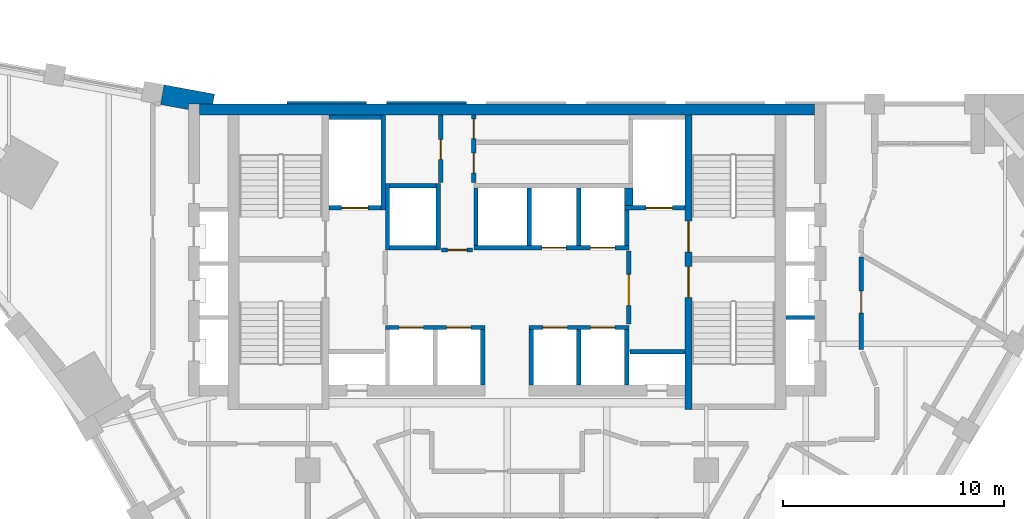
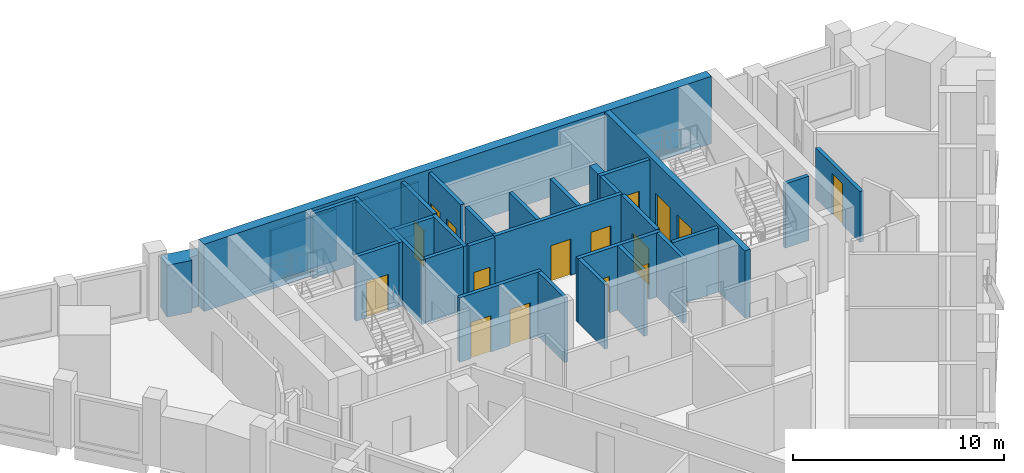
# One storey, part 6 of 9: 32 walls, 16 doors, 16 openings.
"""IFC4 building model written with IfcOpenShell, lengths in metres."""

from ifc_helpers import new_model, si_unit, direction, frame, frame_2d, origin, place, context, subcontext, project, spatial, polyline, rectangle, outline, extrude, material, layer, layer_set, type_object, element, fill, save


model = new_model("IFC4")

# Units and contexts
model_context = context("Model", 3, precision=1e-05, world=origin(), true_north=direction((0.0, 1.0)))
body_context = subcontext(model_context, "Body", "Model", "MODEL_VIEW")
ifc_project = project(units=[si_unit("LENGTHUNIT", "METRE"), si_unit("AREAUNIT", "SQUARE_METRE"), si_unit("VOLUMEUNIT", "CUBIC_METRE"), si_unit("PLANEANGLEUNIT", "RADIAN"), si_unit("MASSUNIT", "GRAM", prefix="KILO")], contexts=[model_context])

# Site, building, storey
site_placement = place(None, origin())
site = spatial("IfcSite", under=ifc_project, at=site_placement, CompositionType="ELEMENT")
building_placement = place(site_placement, origin())
building = spatial("IfcBuilding", under=site, at=building_placement, Name="Calabash Gate Tower", CompositionType="ELEMENT")
storey_placement = place(building_placement, frame((0.0, 0.0, 212.0)))
storey = spatial("IfcBuildingStorey", under=building, at=storey_placement, Name="L50", CompositionType="ELEMENT", Elevation=212.0)

# Wall
ifc_material_1 = material(Name="Terracotta brick masonry, exposed face", Category="masonry")
ifc_layer_1 = layer(ifc_material_1, 0.89990234375)
ifc_layer_set_1 = layer_set([ifc_layer_1], Name="Brick end wall 900")
wall_type_1 = type_object("IfcWallType", Name="Brick end wall 900", PredefinedType="SOLIDWALL", material=ifc_layer_set_1)
wall_1_placement = place(storey_placement, origin())
element("IfcWall", 1, at=wall_1_placement, inside=storey, type_object=wall_type_1, Name="Brick end wall S14 1", PredefinedType="SOLIDWALL", context=body_context, shape_type="SweptSolid", body=[
    extrude(outline(polyline([(-15.651611328125, 19.02734375), (-15.65185546875, 19.027099609375), (-14.39990234375, 18.798095703125), (-14.39990234375, 19.052490234375), (-13.291015625, 19.052490234375), (-13.2099609375, 19.4951171875), (-15.489501953125, 19.912353515625), (-15.6513671875, 19.02734375), (-15.651611328125, 19.02734375)])), origin(), (0.0, 0.0, 1.0), 3.0),
])

# Wall, openings, doors
ifc_material_2 = material(Name="Concrete C70/85", Category="concrete")
ifc_layer_2 = layer(ifc_material_2, 0.300048828125)
ifc_layer_set_2 = layer_set([ifc_layer_2], Name="Core wall 300 Concrete C70/85")
wall_type_2 = type_object("IfcWallType", Name="Core wall 300 Concrete C70/85", PredefinedType="SHEAR", material=ifc_layer_set_2)
wall_2_placement = place(storey_placement, frame((8.199951171875, 5.252685546875, 0.0), z_axis=(0.0, 0.0, 1.0), x_axis=(0.0, 1.0, 0.0)))
wall_2 = element("IfcWall", 2, at=wall_2_placement, inside=storey, type_object=wall_type_2, Name="Core wall Z4-PARTE L50", PredefinedType="SHEAR", context=body_context, shape_type="SweptSolid", body=[
    extrude(rectangle(XDim=13.2998046875, YDim=0.300048828125, at=frame_2d((6.64990234375, 0.0))), origin(), (0.0, 0.0, 1.0), 3.89990234375),
])
opening_1_placement = place(wall_2_placement, frame((7.10009765625, 0.0, 0.0)))
opening_1 = element("IfcOpeningElement", 3, at=opening_1_placement, cuts=wall_2, Name="Opening O6-019", PredefinedType="OPENING", context=body_context, shape_type="SweptSolid", body=[
    extrude(rectangle(XDim=1.39990234375, YDim=2.10009765625, at=frame_2d((0.699951171875, 1.050048828125))), frame((0.0, 0.159912109375, 0.0), z_axis=(0.0, -1.0, 0.0), x_axis=(1.0, 0.0, 0.0)), (0.0, 0.0, 1.0), 0.320068359375),
])
opening_2_placement = place(wall_2_placement, frame((5.050048828125, 0.0, 0.0)))
opening_2 = element("IfcOpeningElement", 4, at=opening_2_placement, cuts=wall_2, Name="Opening O6-020", PredefinedType="OPENING", context=body_context, shape_type="SweptSolid", body=[
    extrude(rectangle(XDim=1.39990234375, YDim=2.10009765625, at=frame_2d((0.699951171875, 1.050048828125))), frame((0.0, 0.159912109375, 0.0), z_axis=(0.0, -1.0, 0.0), x_axis=(1.0, 0.0, 0.0)), (0.0, 0.0, 1.0), 0.320068359375),
])
ifc_material_3 = material(Name="Steel fire door set with fire-resisting glazing", Category="steel")
door_type_1 = type_object("IfcDoorType", Name="Fire door D05 1400x2100 FD90", OperationType="NOTDEFINED", PredefinedType="DOOR", material=ifc_material_3)
door_1_placement = place(opening_1_placement, origin())
door_1 = element("IfcDoor", 5, at=door_1_placement, inside=storey, type_object=door_type_1, Name="Exit stair door ST3", OperationType="SINGLE_SWING_RIGHT", OverallHeight=2.10009765625, OverallWidth=1.39990234375, PredefinedType="DOOR", context=body_context, shape_type="SweptSolid", body=[
    extrude(rectangle(XDim=1.39990234375, YDim=2.10009765625, at=frame_2d((0.699951171875, 1.050048828125))), frame((0.0, 0.02490234375, 0.0), z_axis=(0.0, -1.0, 0.0), x_axis=(1.0, 0.0, 0.0)), (0.0, 0.0, 1.0), 0.050048828125),
])
fill(opening_1, door_1)
door_2_placement = place(opening_2_placement, origin())
door_2 = element("IfcDoor", 6, at=door_2_placement, inside=storey, type_object=door_type_1, Name="Exit stair door ST4", OperationType="SINGLE_SWING_LEFT", OverallHeight=2.10009765625, OverallWidth=1.39990234375, PredefinedType="DOOR", context=body_context, shape_type="SweptSolid", body=[
    extrude(rectangle(XDim=1.39990234375, YDim=2.10009765625, at=frame_2d((0.699951171875, 1.050048828125))), frame((0.0, 0.02490234375, 0.0), z_axis=(0.0, -1.0, 0.0), x_axis=(1.0, 0.0, 0.0)), (0.0, 0.0, 1.0), 0.050048828125),
])
fill(opening_2, door_2)

# Wall
ifc_material_4 = material(Name="Concrete C70/85", Category="concrete")
ifc_layer_3 = layer(ifc_material_4, 0.5)
ifc_layer_set_3 = layer_set([ifc_layer_3], Name="Core wall 500 Concrete C70/85")
wall_type_3 = type_object("IfcWallType", Name="Core wall 500 Concrete C70/85", PredefinedType="SHEAR", material=ifc_layer_set_3)
wall_3_placement = place(storey_placement, frame((-13.89990234375, 18.802490234375, 0.0), z_axis=(0.0, 0.0, 1.0), x_axis=(1.0, 0.0, 0.0)))
element("IfcWall", 7, at=wall_3_placement, inside=storey, type_object=wall_type_3, Name="Core wall Z4-N L50", PredefinedType="SHEAR", context=body_context, shape_type="SweptSolid", body=[
    extrude(rectangle(XDim=27.7998046875, YDim=0.5, at=frame_2d((13.89990234375, 0.0))), origin(), (0.0, 0.0, 1.0), 3.89990234375),
])

# Wall, opening, door
ifc_material_5 = material(Name="Gypsum board on steel studs, mineral wool", Category="steel")
ifc_layer_4 = layer(ifc_material_5, 0.199951171875)
ifc_layer_set_4 = layer_set([ifc_layer_4], Name="Partition 200 gypsum board EI 60")
wall_type_4 = type_object("IfcWallType", Name="Partition 200 gypsum board EI 60", PredefinedType="PARTITIONING", material=ifc_layer_set_4)
wall_4_placement = place(storey_placement, frame((16.00048828125, 7.95263671875, 0.0), z_axis=(0.0, 0.0, 1.0), x_axis=(0.000349507755, 0.999999938922, 0.0)))
wall_4 = element("IfcWall", 8, at=wall_4_placement, inside=storey, type_object=wall_type_4, Name="Partition", PredefinedType="PARTITIONING", context=body_context, shape_type="SweptSolid", body=[
    extrude(rectangle(XDim=4.191162109375, YDim=0.199951171875, at=frame_2d((2.095703125, 0.0))), origin(), (0.0, 0.0, 1.0), 2.9501953125),
])
opening_3_placement = place(wall_4_placement, frame((1.64599609375, 0.0, 0.0)))
opening_3 = element("IfcOpeningElement", 9, at=opening_3_placement, cuts=wall_4, Name="Opening 49-51-014", PredefinedType="OPENING", context=body_context, shape_type="SweptSolid", body=[
    extrude(rectangle(XDim=1.0, YDim=2.39990234375, at=frame_2d((0.5, 1.199951171875))), frame((0.0, 0.10986328125, 0.0), z_axis=(0.0, -1.0, 0.0), x_axis=(1.0, 0.0, 0.0)), (0.0, 0.0, 1.0), 0.219970703125),
])
ifc_material_6 = material(Name="Painted timber door", Category="wood")
door_type_2 = type_object("IfcDoorType", Name="OD2 Glazed office door 1000x2400", OperationType="NOTDEFINED", PredefinedType="DOOR", material=ifc_material_6)
door_3_placement = place(opening_3_placement, origin())
door_3 = element("IfcDoor", 10, at=door_3_placement, inside=storey, type_object=door_type_2, Name="Glazed office door", OperationType="SINGLE_SWING_LEFT", OverallHeight=2.39990234375, OverallWidth=1.0, PredefinedType="DOOR", context=body_context, shape_type="SweptSolid", body=[
    extrude(rectangle(XDim=1.0, YDim=2.39990234375, at=frame_2d((0.5, 1.199951171875))), frame((0.0, 0.02490234375, 0.0), z_axis=(0.0, -1.0, 0.0), x_axis=(1.0, 0.0, 0.0)), (0.0, 0.0, 1.0), 0.050048828125),
])
fill(opening_3, door_3)

# Walls
ifc_material_7 = material(Name="Concrete C40/50", Category="concrete")
ifc_layer_5 = layer(ifc_material_7, 0.199951171875)
ifc_layer_set_5 = layer_set([ifc_layer_5], Name="Shaft wall 200 Concrete C40/50")
wall_type_5 = type_object("IfcWallType", Name="Shaft wall 200 Concrete C40/50", PredefinedType="SOLIDWALL", material=ifc_layer_set_5)
for number, where, z_axis, x_axis, name in (
    (11, (-1.10009765625, 6.3525390625, 0.0), (0.0, 0.0, 1.0), (0.0, 1.0, 0.0), "Shaft wall"),
    (12, (1.10009765625, 6.3525390625, 0.0), (0.0, 0.0, 1.0), (0.0, 1.0, 0.0), "Shaft wall"),
    (13, (3.25, 6.3525390625, 0.0), (0.0, 0.0, 1.0), (0.0, 1.0, 0.0), "Shaft wall"),
    (14, (5.39990234375, 6.3525390625, 0.0), (0.0, 0.0, 1.0), (0.0, 1.0, 0.0), "Shaft wall"),
    (15, (5.550048828125, 7.8525390625, 0.0), (0.0, 0.0, 1.0), (1.0, 0.0, 0.0), "Shaft wall"),
):
    element("IfcWall", number, at=place(storey_placement, frame(where, z_axis=z_axis, x_axis=x_axis)), inside=storey, type_object=wall_type_5, Name=name, PredefinedType="SOLIDWALL", context=body_context, shape_type="SweptSolid", body=[
        extrude(rectangle(XDim=2.5, YDim=0.199951171875, at=frame_2d((1.25, 0.0))), origin(), (0.0, 0.0, 1.0), 3.72998046875),
    ])

# Wall, openings, doors
wall_5_placement = place(storey_placement, frame((-5.5, 8.95263671875, 0.0), z_axis=(0.0, 0.0, 1.0), x_axis=(1.0, 0.0, 0.0)))
wall_5 = element("IfcWall", 16, at=wall_5_placement, inside=storey, type_object=wall_type_5, Name="Shaft wall", PredefinedType="SOLIDWALL", context=body_context, shape_type="SweptSolid", body=[
    extrude(rectangle(XDim=4.5, YDim=0.199951171875, at=frame_2d((2.25, 0.0))), origin(), (0.0, 0.0, 1.0), 3.72998046875),
])
opening_4_placement = place(wall_5_placement, frame((0.625, 0.0, 0.0)))
opening_4 = element("IfcOpeningElement", 17, at=opening_4_placement, cuts=wall_5, Name="Opening LD-HR1", PredefinedType="OPENING", context=body_context, shape_type="SweptSolid", body=[
    extrude(rectangle(XDim=1.10009765625, YDim=2.10009765625, at=frame_2d((0.550048828125, 1.050048828125))), frame((0.0, 0.10986328125, 0.0), z_axis=(0.0, -1.0, 0.0), x_axis=(1.0, 0.0, 0.0)), (0.0, 0.0, 1.0), 0.219970703125),
])
opening_5_placement = place(wall_5_placement, frame((2.77490234375, 0.0, 0.0)))
opening_5 = element("IfcOpeningElement", 18, at=opening_5_placement, cuts=wall_5, Name="Opening LD-HR2", PredefinedType="OPENING", context=body_context, shape_type="SweptSolid", body=[
    extrude(rectangle(XDim=1.10009765625, YDim=2.10009765625, at=frame_2d((0.550048828125, 1.050048828125))), frame((0.0, 0.10986328125, 0.0), z_axis=(0.0, -1.0, 0.0), x_axis=(1.0, 0.0, 0.0)), (0.0, 0.0, 1.0), 0.219970703125),
])
ifc_material_8 = material(Name="Stainless steel sliding door leaves", Category="steel")
door_type_3 = type_object("IfcDoorType", Name="Lift landing door LS1 1100x2100 FD90", OperationType="DOUBLE_DOOR_SLIDING", PredefinedType="DOOR", material=ifc_material_8)
door_4_placement = place(opening_4_placement, origin())
door_4 = element("IfcDoor", 19, at=door_4_placement, inside=storey, type_object=door_type_3, Name="Lift landing door HR1", OperationType="DOUBLE_DOOR_SLIDING", OverallHeight=2.10009765625, OverallWidth=1.10009765625, PredefinedType="DOOR", context=body_context, shape_type="SweptSolid", body=[
    extrude(rectangle(XDim=1.10009765625, YDim=2.10009765625, at=frame_2d((0.550048828125, 1.050048828125))), frame((0.0, 0.02490234375, 0.0), z_axis=(0.0, -1.0, 0.0), x_axis=(1.0, 0.0, 0.0)), (0.0, 0.0, 1.0), 0.050048828125),
])
fill(opening_4, door_4)
door_5_placement = place(opening_5_placement, origin())
door_5 = element("IfcDoor", 20, at=door_5_placement, inside=storey, type_object=door_type_3, Name="Lift landing door HR2", OperationType="DOUBLE_DOOR_SLIDING", OverallHeight=2.10009765625, OverallWidth=1.10009765625, PredefinedType="DOOR", context=body_context, shape_type="SweptSolid", body=[
    extrude(rectangle(XDim=1.10009765625, YDim=2.10009765625, at=frame_2d((0.550048828125, 1.050048828125))), frame((0.0, 0.02490234375, 0.0), z_axis=(0.0, -1.0, 0.0), x_axis=(1.0, 0.0, 0.0)), (0.0, 0.0, 1.0), 0.050048828125),
])
fill(opening_5, door_5)

wall_6_placement = place(storey_placement, frame((1.0, 8.95263671875, 0.0), z_axis=(0.0, 0.0, 1.0), x_axis=(1.0, 0.0, 0.0)))
wall_6 = element("IfcWall", 21, at=wall_6_placement, inside=storey, type_object=wall_type_5, Name="Shaft wall", PredefinedType="SOLIDWALL", context=body_context, shape_type="SweptSolid", body=[
    extrude(rectangle(XDim=4.5, YDim=0.199951171875, at=frame_2d((2.25, 0.0))), origin(), (0.0, 0.0, 1.0), 3.72998046875),
])
opening_6_placement = place(wall_6_placement, frame((0.625, 0.0, 0.0)))
opening_6 = element("IfcOpeningElement", 22, at=opening_6_placement, cuts=wall_6, Name="Opening LD-HR3", PredefinedType="OPENING", context=body_context, shape_type="SweptSolid", body=[
    extrude(rectangle(XDim=1.10009765625, YDim=2.10009765625, at=frame_2d((0.550048828125, 1.050048828125))), frame((0.0, 0.10986328125, 0.0), z_axis=(0.0, -1.0, 0.0), x_axis=(1.0, 0.0, 0.0)), (0.0, 0.0, 1.0), 0.219970703125),
])
opening_7_placement = place(wall_6_placement, frame((2.77490234375, 0.0, 0.0)))
opening_7 = element("IfcOpeningElement", 23, at=opening_7_placement, cuts=wall_6, Name="Opening LD-HR4", PredefinedType="OPENING", context=body_context, shape_type="SweptSolid", body=[
    extrude(rectangle(XDim=1.10009765625, YDim=2.10009765625, at=frame_2d((0.550048828125, 1.050048828125))), frame((0.0, 0.10986328125, 0.0), z_axis=(0.0, -1.0, 0.0), x_axis=(1.0, 0.0, 0.0)), (0.0, 0.0, 1.0), 0.219970703125),
])
door_6_placement = place(opening_6_placement, origin())
door_6 = element("IfcDoor", 24, at=door_6_placement, inside=storey, type_object=door_type_3, Name="Lift landing door HR3", OperationType="DOUBLE_DOOR_SLIDING", OverallHeight=2.10009765625, OverallWidth=1.10009765625, PredefinedType="DOOR", context=body_context, shape_type="SweptSolid", body=[
    extrude(rectangle(XDim=1.10009765625, YDim=2.10009765625, at=frame_2d((0.550048828125, 1.050048828125))), frame((0.0, 0.02490234375, 0.0), z_axis=(0.0, -1.0, 0.0), x_axis=(1.0, 0.0, 0.0)), (0.0, 0.0, 1.0), 0.050048828125),
])
fill(opening_6, door_6)
door_7_placement = place(opening_7_placement, origin())
door_7 = element("IfcDoor", 25, at=door_7_placement, inside=storey, type_object=door_type_3, Name="Lift landing door HR4", OperationType="DOUBLE_DOOR_SLIDING", OverallHeight=2.10009765625, OverallWidth=1.10009765625, PredefinedType="DOOR", context=body_context, shape_type="SweptSolid", body=[
    extrude(rectangle(XDim=1.10009765625, YDim=2.10009765625, at=frame_2d((0.550048828125, 1.050048828125))), frame((0.0, 0.02490234375, 0.0), z_axis=(0.0, -1.0, 0.0), x_axis=(1.0, 0.0, 0.0)), (0.0, 0.0, 1.0), 0.050048828125),
])
fill(opening_7, door_7)

# Wall, opening, door
wall_7_placement = place(storey_placement, frame((5.5, 9.1025390625, 0.0), z_axis=(0.0, 0.0, 1.0), x_axis=(0.0, 1.0, 0.0)))
wall_7 = element("IfcWall", 26, at=wall_7_placement, inside=storey, type_object=wall_type_5, Name="Shaft wall", PredefinedType="SOLIDWALL", context=body_context, shape_type="SweptSolid", body=[
    extrude(rectangle(XDim=3.300048828125, YDim=0.199951171875, at=frame_2d((1.64990234375, 0.0))), origin(), (0.0, 0.0, 1.0), 3.72998046875),
])
opening_8_placement = place(wall_7_placement, frame((0.85009765625, 0.0, 0.0)))
opening_8 = element("IfcOpeningElement", 27, at=opening_8_placement, cuts=wall_7, Name="Opening O6-010", PredefinedType="OPENING", context=body_context, shape_type="SweptSolid", body=[
    extrude(rectangle(XDim=1.39990234375, YDim=2.10009765625, at=frame_2d((0.699951171875, 1.050048828125))), frame((0.0, 0.10986328125, 0.0), z_axis=(0.0, -1.0, 0.0), x_axis=(1.0, 0.0, 0.0)), (0.0, 0.0, 1.0), 0.219970703125),
])
door_8_placement = place(opening_8_placement, origin())
door_8 = element("IfcDoor", 28, at=door_8_placement, inside=storey, type_object=door_type_1, Name="Firefighting Lobby E door", OperationType="SINGLE_SWING_LEFT", OverallHeight=2.10009765625, OverallWidth=1.39990234375, PredefinedType="DOOR", context=body_context, shape_type="SweptSolid", body=[
    extrude(rectangle(XDim=1.39990234375, YDim=2.10009765625, at=frame_2d((0.699951171875, 1.050048828125))), frame((0.0, 0.02490234375, 0.0), z_axis=(0.0, -1.0, 0.0), x_axis=(1.0, 0.0, 0.0)), (0.0, 0.0, 1.0), 0.050048828125),
])
fill(opening_8, door_8)

# Wall
wall_8_placement = place(storey_placement, frame((12.60009765625, 9.402587890625, 0.0), z_axis=(0.0, 0.0, 1.0), x_axis=(1.0, 0.0, 0.0)))
element("IfcWall", 29, at=wall_8_placement, inside=storey, type_object=wall_type_5, Name="Shaft wall", PredefinedType="SOLIDWALL", context=body_context, shape_type="SweptSolid", body=[
    extrude(rectangle(XDim=1.2998046875, YDim=0.199951171875, at=frame_2d((0.64990234375, 0.0))), origin(), (0.0, 0.0, 1.0), 3.72998046875),
])

# Wall, opening, door
wall_9_placement = place(storey_placement, frame((-2.949951171875, 12.45263671875, 0.0), z_axis=(0.0, 0.0, 1.0), x_axis=(1.0, 0.0, 0.0)))
wall_9 = element("IfcWall", 30, at=wall_9_placement, inside=storey, type_object=wall_type_5, Name="Shaft wall", PredefinedType="SOLIDWALL", context=body_context, shape_type="SweptSolid", body=[
    extrude(rectangle(XDim=1.39990234375, YDim=0.199951171875, at=frame_2d((0.699951171875, 0.0))), origin(), (0.0, 0.0, 1.0), 3.72998046875),
])
opening_9_placement = place(wall_9_placement, frame((0.25, 0.0, 0.0)))
opening_9 = element("IfcOpeningElement", 31, at=opening_9_placement, cuts=wall_9, Name="Opening O6-009", PredefinedType="OPENING", context=body_context, shape_type="SweptSolid", body=[
    extrude(rectangle(XDim=0.89990234375, YDim=2.10009765625, at=frame_2d((0.449951171875, 1.050048828125))), frame((0.0, 0.10986328125, 0.0), z_axis=(0.0, -1.0, 0.0), x_axis=(1.0, 0.0, 0.0)), (0.0, 0.0, 1.0), 0.219970703125),
])
ifc_material_9 = material(Name="Steel fire door set with fire-resisting glazing", Category="steel")
door_type_4 = type_object("IfcDoorType", Name="Fire door D06 900x2100 FD60", OperationType="NOTDEFINED", PredefinedType="DOOR", material=ifc_material_9)
door_9_placement = place(opening_9_placement, origin())
door_9 = element("IfcDoor", 32, at=door_9_placement, inside=storey, type_object=door_type_4, Name="Service Corridor door", OperationType="SINGLE_SWING_RIGHT", OverallHeight=2.10009765625, OverallWidth=0.89990234375, PredefinedType="DOOR", context=body_context, shape_type="SweptSolid", body=[
    extrude(rectangle(XDim=0.89990234375, YDim=2.10009765625, at=frame_2d((0.449951171875, 1.050048828125))), frame((0.0, 0.02490234375, 0.0), z_axis=(0.0, -1.0, 0.0), x_axis=(1.0, 0.0, 0.0)), (0.0, 0.0, 1.0), 0.050048828125),
])
fill(opening_9, door_9)

# Walls
wall_10_placement = place(storey_placement, frame((-5.39990234375, 12.45263671875, 0.0), z_axis=(0.0, 0.0, 1.0), x_axis=(0.0, 1.0, 0.0)))
element("IfcWall", 33, at=wall_10_placement, inside=storey, type_object=wall_type_5, Name="Shaft wall", PredefinedType="SOLIDWALL", context=body_context, shape_type="SweptSolid", body=[
    extrude(rectangle(XDim=3.0, YDim=0.199951171875, at=frame_2d((1.5, 0.0))), origin(), (0.0, 0.0, 1.0), 3.72998046875),
])
wall_11_placement = place(storey_placement, frame((-5.300048828125, 12.552490234375, 0.0), z_axis=(0.0, 0.0, 1.0), x_axis=(1.0, 0.0, 0.0)))
element("IfcWall", 34, at=wall_11_placement, inside=storey, type_object=wall_type_5, Name="Shaft wall", PredefinedType="SOLIDWALL", context=body_context, shape_type="SweptSolid", body=[
    extrude(rectangle(XDim=2.10009765625, YDim=0.199951171875, at=frame_2d((1.050048828125, 0.0))), origin(), (0.0, 0.0, 1.0), 3.72998046875),
])
wall_12_placement = place(storey_placement, frame((-3.10009765625, 12.45263671875, 0.0), z_axis=(0.0, 0.0, 1.0), x_axis=(0.0, 1.0, 0.0)))
element("IfcWall", 35, at=wall_12_placement, inside=storey, type_object=wall_type_5, Name="Shaft wall", PredefinedType="SOLIDWALL", context=body_context, shape_type="SweptSolid", body=[
    extrude(rectangle(XDim=3.0, YDim=0.199951171875, at=frame_2d((1.5, 0.0))), origin(), (0.0, 0.0, 1.0), 3.72998046875),
])

# Wall, openings, doors
wall_13_placement = place(storey_placement, frame((-1.5, 12.552490234375, 0.0), z_axis=(0.0, 0.0, 1.0), x_axis=(1.0, 0.0, 0.0)))
wall_13 = element("IfcWall", 36, at=wall_13_placement, inside=storey, type_object=wall_type_5, Name="Shaft wall", PredefinedType="SOLIDWALL", context=body_context, shape_type="SweptSolid", body=[
    extrude(rectangle(XDim=7.0, YDim=0.199951171875, at=frame_2d((3.5, 0.0))), origin(), (0.0, 0.0, 1.0), 3.72998046875),
])
opening_10_placement = place(wall_13_placement, frame((3.074951171875, 0.0, 0.0)))
opening_10 = element("IfcOpeningElement", 37, at=opening_10_placement, cuts=wall_13, Name="Opening LD-HR5", PredefinedType="OPENING", context=body_context, shape_type="SweptSolid", body=[
    extrude(rectangle(XDim=1.10009765625, YDim=2.10009765625, at=frame_2d((0.550048828125, 1.050048828125))), frame((0.0, 0.10986328125, 0.0), z_axis=(0.0, -1.0, 0.0), x_axis=(1.0, 0.0, 0.0)), (0.0, 0.0, 1.0), 0.219970703125),
])
opening_11_placement = place(wall_13_placement, frame((5.27490234375, 0.0, 0.0)))
opening_11 = element("IfcOpeningElement", 38, at=opening_11_placement, cuts=wall_13, Name="Opening LD-HR6", PredefinedType="OPENING", context=body_context, shape_type="SweptSolid", body=[
    extrude(rectangle(XDim=1.10009765625, YDim=2.10009765625, at=frame_2d((0.550048828125, 1.050048828125))), frame((0.0, 0.10986328125, 0.0), z_axis=(0.0, -1.0, 0.0), x_axis=(1.0, 0.0, 0.0)), (0.0, 0.0, 1.0), 0.219970703125),
])
door_10_placement = place(opening_10_placement, origin())
door_10 = element("IfcDoor", 39, at=door_10_placement, inside=storey, type_object=door_type_3, Name="Lift landing door HR5", OperationType="DOUBLE_DOOR_SLIDING", OverallHeight=2.10009765625, OverallWidth=1.10009765625, PredefinedType="DOOR", context=body_context, shape_type="SweptSolid", body=[
    extrude(rectangle(XDim=1.10009765625, YDim=2.10009765625, at=frame_2d((0.550048828125, 1.050048828125))), frame((0.0, 0.02490234375, 0.0), z_axis=(0.0, -1.0, 0.0), x_axis=(1.0, 0.0, 0.0)), (0.0, 0.0, 1.0), 0.050048828125),
])
fill(opening_10, door_10)
door_11_placement = place(opening_11_placement, origin())
door_11 = element("IfcDoor", 40, at=door_11_placement, inside=storey, type_object=door_type_3, Name="Lift landing door HR6", OperationType="DOUBLE_DOOR_SLIDING", OverallHeight=2.10009765625, OverallWidth=1.10009765625, PredefinedType="DOOR", context=body_context, shape_type="SweptSolid", body=[
    extrude(rectangle(XDim=1.10009765625, YDim=2.10009765625, at=frame_2d((0.550048828125, 1.050048828125))), frame((0.0, 0.02490234375, 0.0), z_axis=(0.0, -1.0, 0.0), x_axis=(1.0, 0.0, 0.0)), (0.0, 0.0, 1.0), 0.050048828125),
])
fill(opening_11, door_11)

# Walls
for number, where, z_axis, x_axis, name in (
    (41, (-1.39990234375, 12.652587890625, 0.0), (0.0, 0.0, 1.0), (0.0, 1.0, 0.0), "Shaft wall"),
    (42, (1.0, 12.652587890625, 0.0), (0.0, 0.0, 1.0), (0.0, 1.0, 0.0), "Shaft wall"),
    (43, (3.25, 12.652587890625, 0.0), (0.0, 0.0, 1.0), (0.0, 1.0, 0.0), "Shaft wall"),
):
    element("IfcWall", number, at=place(storey_placement, frame(where, z_axis=z_axis, x_axis=x_axis)), inside=storey, type_object=wall_type_5, Name=name, PredefinedType="SOLIDWALL", context=body_context, shape_type="SweptSolid", body=[
        extrude(rectangle(XDim=2.60009765625, YDim=0.199951171875, at=frame_2d((1.300048828125, 0.0))), origin(), (0.0, 0.0, 1.0), 3.72998046875),
    ])
wall_14_placement = place(storey_placement, frame((5.39990234375, 12.652587890625, 0.0), z_axis=(0.0, 0.0, 1.0), x_axis=(0.0, 1.0, 0.0)))
element("IfcWall", 44, at=wall_14_placement, inside=storey, type_object=wall_type_5, Name="Shaft wall", PredefinedType="SOLIDWALL", context=body_context, shape_type="SweptSolid", body=[
    extrude(rectangle(XDim=1.60009765625, YDim=0.199951171875, at=frame_2d((0.800048828125, 0.0))), origin(), (0.0, 0.0, 1.0), 3.72998046875),
])

# Wall, opening, door
wall_15_placement = place(storey_placement, frame((-8.050048828125, 14.3525390625, 0.0), z_axis=(0.0, 0.0, 1.0), x_axis=(1.0, 0.0, 0.0)))
wall_15 = element("IfcWall", 45, at=wall_15_placement, inside=storey, type_object=wall_type_5, Name="Shaft wall", PredefinedType="SOLIDWALL", context=body_context, shape_type="SweptSolid", body=[
    extrude(rectangle(XDim=2.35009765625, YDim=0.199951171875, at=frame_2d((1.175048828125, 0.0))), origin(), (0.0, 0.0, 1.0), 3.72998046875),
])
opening_12_placement = place(wall_15_placement, frame((0.574951171875, 0.0, 0.0)))
opening_12 = element("IfcOpeningElement", 46, at=opening_12_placement, cuts=wall_15, Name="Opening LD-FF1", PredefinedType="OPENING", context=body_context, shape_type="SweptSolid", body=[
    extrude(rectangle(XDim=1.199951171875, YDim=2.10009765625, at=frame_2d((0.60009765625, 1.050048828125))), frame((0.0, 0.10986328125, 0.0), z_axis=(0.0, -1.0, 0.0), x_axis=(1.0, 0.0, 0.0)), (0.0, 0.0, 1.0), 0.219970703125),
])
ifc_material_10 = material(Name="Stainless steel sliding door leaves", Category="steel")
door_type_5 = type_object("IfcDoorType", Name="Lift landing door LS3 1200x2100 FD90", OperationType="DOUBLE_DOOR_SLIDING", PredefinedType="DOOR", material=ifc_material_10)
door_12_placement = place(opening_12_placement, origin())
door_12 = element("IfcDoor", 47, at=door_12_placement, inside=storey, type_object=door_type_5, Name="Lift landing door FF1", OperationType="DOUBLE_DOOR_SLIDING", OverallHeight=2.10009765625, OverallWidth=1.199951171875, PredefinedType="DOOR", context=body_context, shape_type="SweptSolid", body=[
    extrude(rectangle(XDim=1.199951171875, YDim=2.10009765625, at=frame_2d((0.60009765625, 1.050048828125))), frame((0.0, 0.02490234375, 0.0), z_axis=(0.0, -1.0, 0.0), x_axis=(1.0, 0.0, 0.0)), (0.0, 0.0, 1.0), 0.050048828125),
])
fill(opening_12, door_12)

# Wall
wall_16_placement = place(storey_placement, frame((-5.60009765625, 14.252685546875, 0.0), z_axis=(0.0, 0.0, 1.0), x_axis=(0.0, 1.0, 0.0)))
element("IfcWall", 48, at=wall_16_placement, inside=storey, type_object=wall_type_5, Name="Shaft wall", PredefinedType="SOLIDWALL", context=body_context, shape_type="SweptSolid", body=[
    extrude(rectangle(XDim=4.2998046875, YDim=0.199951171875, at=frame_2d((2.14990234375, 0.0))), origin(), (0.0, 0.0, 1.0), 3.72998046875),
])

# Wall, opening, door
wall_17_placement = place(storey_placement, frame((5.300048828125, 14.3525390625, 0.0), z_axis=(0.0, 0.0, 1.0), x_axis=(1.0, 0.0, 0.0)))
wall_17 = element("IfcWall", 49, at=wall_17_placement, inside=storey, type_object=wall_type_5, Name="Shaft wall", PredefinedType="SOLIDWALL", context=body_context, shape_type="SweptSolid", body=[
    extrude(rectangle(XDim=2.75, YDim=0.199951171875, at=frame_2d((1.375, 0.0))), origin(), (0.0, 0.0, 1.0), 3.72998046875),
])
opening_13_placement = place(wall_17_placement, frame((0.97509765625, 0.0, 0.0)))
opening_13 = element("IfcOpeningElement", 50, at=opening_13_placement, cuts=wall_17, Name="Opening LD-FF2", PredefinedType="OPENING", context=body_context, shape_type="SweptSolid", body=[
    extrude(rectangle(XDim=1.199951171875, YDim=2.10009765625, at=frame_2d((0.60009765625, 1.050048828125))), frame((0.0, 0.10986328125, 0.0), z_axis=(0.0, -1.0, 0.0), x_axis=(1.0, 0.0, 0.0)), (0.0, 0.0, 1.0), 0.219970703125),
])
door_13_placement = place(opening_13_placement, origin())
door_13 = element("IfcDoor", 51, at=door_13_placement, inside=storey, type_object=door_type_5, Name="Lift landing door FF2", OperationType="DOUBLE_DOOR_SLIDING", OverallHeight=2.10009765625, OverallWidth=1.199951171875, PredefinedType="DOOR", context=body_context, shape_type="SweptSolid", body=[
    extrude(rectangle(XDim=1.199951171875, YDim=2.10009765625, at=frame_2d((0.60009765625, 1.050048828125))), frame((0.0, 0.02490234375, 0.0), z_axis=(0.0, -1.0, 0.0), x_axis=(1.0, 0.0, 0.0)), (0.0, 0.0, 1.0), 0.050048828125),
])
fill(opening_13, door_13)

# Walls
wall_18_placement = place(storey_placement, frame((5.5, 14.45263671875, 0.0), z_axis=(0.0, 0.0, 1.0), x_axis=(0.0, 1.0, 0.0)))
element("IfcWall", 52, at=wall_18_placement, inside=storey, type_object=wall_type_5, Name="Shaft wall", PredefinedType="SOLIDWALL", context=body_context, shape_type="SweptSolid", body=[
    extrude(rectangle(XDim=0.800048828125, YDim=0.39990234375, at=frame_2d((0.39990234375, 0.0))), origin(), (0.0, 0.0, 1.0), 3.72998046875),
])
wall_19_placement = place(storey_placement, frame((-5.300048828125, 15.3525390625, 0.0), z_axis=(0.0, 0.0, 1.0), x_axis=(1.0, 0.0, 0.0)))
element("IfcWall", 53, at=wall_19_placement, inside=storey, type_object=wall_type_5, Name="Shaft wall", PredefinedType="SOLIDWALL", context=body_context, shape_type="SweptSolid", body=[
    extrude(rectangle(XDim=2.10009765625, YDim=0.199951171875, at=frame_2d((1.050048828125, 0.0))), origin(), (0.0, 0.0, 1.0), 3.72998046875),
])

# Wall, opening, door
wall_20_placement = place(storey_placement, frame((-3.0, 15.502685546875, 0.0), z_axis=(0.0, 0.0, 1.0), x_axis=(0.0, 1.0, 0.0)))
wall_20 = element("IfcWall", 54, at=wall_20_placement, inside=storey, type_object=wall_type_5, Name="Shaft wall", PredefinedType="SOLIDWALL", context=body_context, shape_type="SweptSolid", body=[
    extrude(rectangle(XDim=3.0498046875, YDim=0.199951171875, at=frame_2d((1.52490234375, 0.0))), origin(), (0.0, 0.0, 1.0), 3.72998046875),
])
opening_14_placement = place(wall_20_placement, frame((1.050048828125, 0.0, 0.0)))
opening_14 = element("IfcOpeningElement", 55, at=opening_14_placement, cuts=wall_20, Name="Opening O6-012", PredefinedType="OPENING", context=body_context, shape_type="SweptSolid", body=[
    extrude(rectangle(XDim=0.89990234375, YDim=2.10009765625, at=frame_2d((0.449951171875, 1.050048828125))), frame((0.0, 0.10986328125, 0.0), z_axis=(0.0, -1.0, 0.0), x_axis=(1.0, 0.0, 0.0)), (0.0, 0.0, 1.0), 0.219970703125),
])
door_14_placement = place(opening_14_placement, origin())
door_14 = element("IfcDoor", 56, at=door_14_placement, inside=storey, type_object=door_type_4, Name="Accessible WC door", OperationType="SINGLE_SWING_LEFT", OverallHeight=2.10009765625, OverallWidth=0.89990234375, PredefinedType="DOOR", context=body_context, shape_type="SweptSolid", body=[
    extrude(rectangle(XDim=0.89990234375, YDim=2.10009765625, at=frame_2d((0.449951171875, 1.050048828125))), frame((0.0, 0.02490234375, 0.0), z_axis=(0.0, -1.0, 0.0), x_axis=(1.0, 0.0, 0.0)), (0.0, 0.0, 1.0), 0.050048828125),
])
fill(opening_14, door_14)

# Wall, openings, doors
wall_21_placement = place(storey_placement, frame((-1.5, 15.502685546875, 0.0), z_axis=(0.0, 0.0, 1.0), x_axis=(0.0, 1.0, 0.0)))
wall_21 = element("IfcWall", 57, at=wall_21_placement, inside=storey, type_object=wall_type_5, Name="Shaft wall", PredefinedType="SOLIDWALL", context=body_context, shape_type="SweptSolid", body=[
    extrude(rectangle(XDim=3.0498046875, YDim=0.199951171875, at=frame_2d((1.52490234375, 0.0))), origin(), (0.0, 0.0, 1.0), 3.72998046875),
])
opening_15_placement = place(wall_21_placement, frame((0.429931640625, 0.0, 0.0)))
opening_15 = element("IfcOpeningElement", 58, at=opening_15_placement, cuts=wall_21, Name="Opening O6-013", PredefinedType="OPENING", context=body_context, shape_type="SweptSolid", body=[
    extrude(rectangle(XDim=0.89990234375, YDim=2.10009765625, at=frame_2d((0.449951171875, 1.050048828125))), frame((0.0, 0.10986328125, 0.0), z_axis=(0.0, -1.0, 0.0), x_axis=(1.0, 0.0, 0.0)), (0.0, 0.0, 1.0), 0.219970703125),
])
opening_16_placement = place(wall_21_placement, frame((1.97998046875, 0.0, 0.0)))
opening_16 = element("IfcOpeningElement", 59, at=opening_16_placement, cuts=wall_21, Name="Opening O6-014", PredefinedType="OPENING", context=body_context, shape_type="SweptSolid", body=[
    extrude(rectangle(XDim=0.89990234375, YDim=2.10009765625, at=frame_2d((0.449951171875, 1.050048828125))), frame((0.0, 0.10986328125, 0.0), z_axis=(0.0, -1.0, 0.0), x_axis=(1.0, 0.0, 0.0)), (0.0, 0.0, 1.0), 0.219970703125),
])
door_15_placement = place(opening_15_placement, origin())
door_15 = element("IfcDoor", 60, at=door_15_placement, inside=storey, type_object=door_type_4, Name="Tenant Pantry door", OperationType="SINGLE_SWING_LEFT", OverallHeight=2.10009765625, OverallWidth=0.89990234375, PredefinedType="DOOR", context=body_context, shape_type="SweptSolid", body=[
    extrude(rectangle(XDim=0.89990234375, YDim=2.10009765625, at=frame_2d((0.449951171875, 1.050048828125))), frame((0.0, 0.02490234375, 0.0), z_axis=(0.0, -1.0, 0.0), x_axis=(1.0, 0.0, 0.0)), (0.0, 0.0, 1.0), 0.050048828125),
])
fill(opening_15, door_15)
door_16_placement = place(opening_16_placement, origin())
door_16 = element("IfcDoor", 61, at=door_16_placement, inside=storey, type_object=door_type_4, Name="Comms Room door", OperationType="SINGLE_SWING_LEFT", OverallHeight=2.10009765625, OverallWidth=0.89990234375, PredefinedType="DOOR", context=body_context, shape_type="SweptSolid", body=[
    extrude(rectangle(XDim=0.89990234375, YDim=2.10009765625, at=frame_2d((0.449951171875, 1.050048828125))), frame((0.0, 0.02490234375, 0.0), z_axis=(0.0, -1.0, 0.0), x_axis=(1.0, 0.0, 0.0)), (0.0, 0.0, 1.0), 0.050048828125),
])
fill(opening_16, door_16)

# Walls
wall_22_placement = place(storey_placement, frame((-8.050048828125, 18.45263671875, 0.0), z_axis=(0.0, 0.0, 1.0), x_axis=(1.0, 0.0, 0.0)))
element("IfcWall", 62, at=wall_22_placement, inside=storey, type_object=wall_type_5, Name="Shaft wall", PredefinedType="SOLIDWALL", context=body_context, shape_type="SweptSolid", body=[
    extrude(rectangle(XDim=2.35009765625, YDim=0.199951171875, at=frame_2d((1.175048828125, 0.0))), origin(), (0.0, 0.0, 1.0), 3.72998046875),
])
ifc_material_11 = material(Name="Terracotta brick masonry, perforated", Category="masonry")
ifc_layer_6 = layer(ifc_material_11, 0.1201171875)
ifc_layer_set_6 = layer_set([ifc_layer_6], Name="Terracotta jaali cladding B 120")
wall_type_6 = type_object("IfcWallType", Name="Terracotta jaali cladding B 120", PredefinedType="SOLIDWALL", material=ifc_layer_set_6)
wall_23_placement = place(storey_placement, origin())
element("IfcWall", 63, at=wall_23_placement, inside=storey, type_object=wall_type_6, Name="Jaali cladding S14 N4.7", PredefinedType="SOLIDWALL", context=body_context, shape_type="SweptSolid", body=[
    extrude(outline(polyline([(-9.939208984375, 19.172607421875), (-9.939208984375, 19.052490234375), (-6.339111328125, 19.052490234375), (-6.339111328125, 19.172607421875), (-9.939208984375, 19.172607421875)])), origin(), (0.0, 0.0, 1.0), 3.0),
])
ifc_material_12 = material(Name="Terracotta louvre blades in an aluminium frame", Category="masonry")
ifc_layer_7 = layer(ifc_material_12, 0.1201171875)
ifc_layer_set_7 = layer_set([ifc_layer_7], Name="Terracotta vent louvre cladding 120")
wall_type_7 = type_object("IfcWallType", Name="Terracotta vent louvre cladding 120", PredefinedType="ELEMENTEDWALL", material=ifc_layer_set_7)
wall_24_placement = place(storey_placement, origin())
element("IfcWall", 64, at=wall_24_placement, inside=storey, type_object=wall_type_7, Name="Vent louvre cladding S14 N4.6", PredefinedType="ELEMENTEDWALL", context=body_context, shape_type="SweptSolid", body=[
    extrude(outline(polyline([(-5.439208984375, 19.172607421875), (-5.439208984375, 19.052490234375), (-1.839111328125, 19.052490234375), (-1.839111328125, 19.172607421875), (-5.439208984375, 19.172607421875)])), origin(), (0.0, 0.0, 1.0), 3.0),
])

save(model, "model.ifc")
